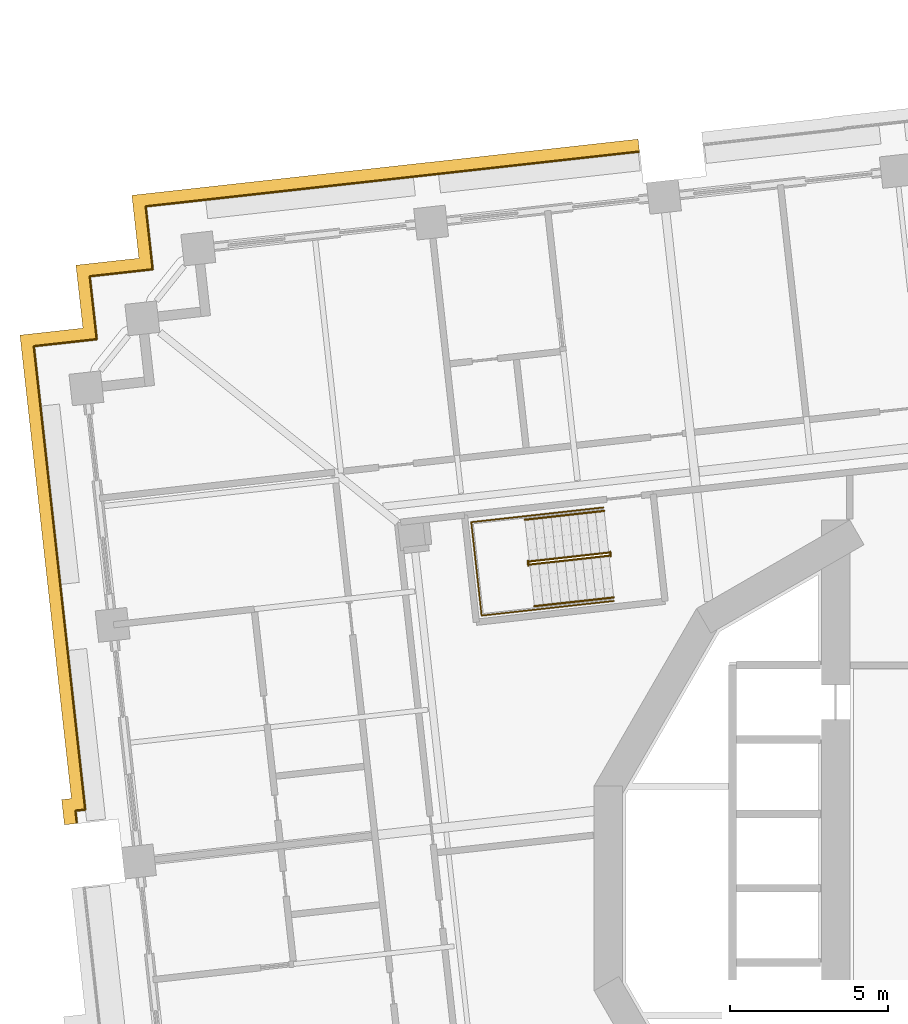
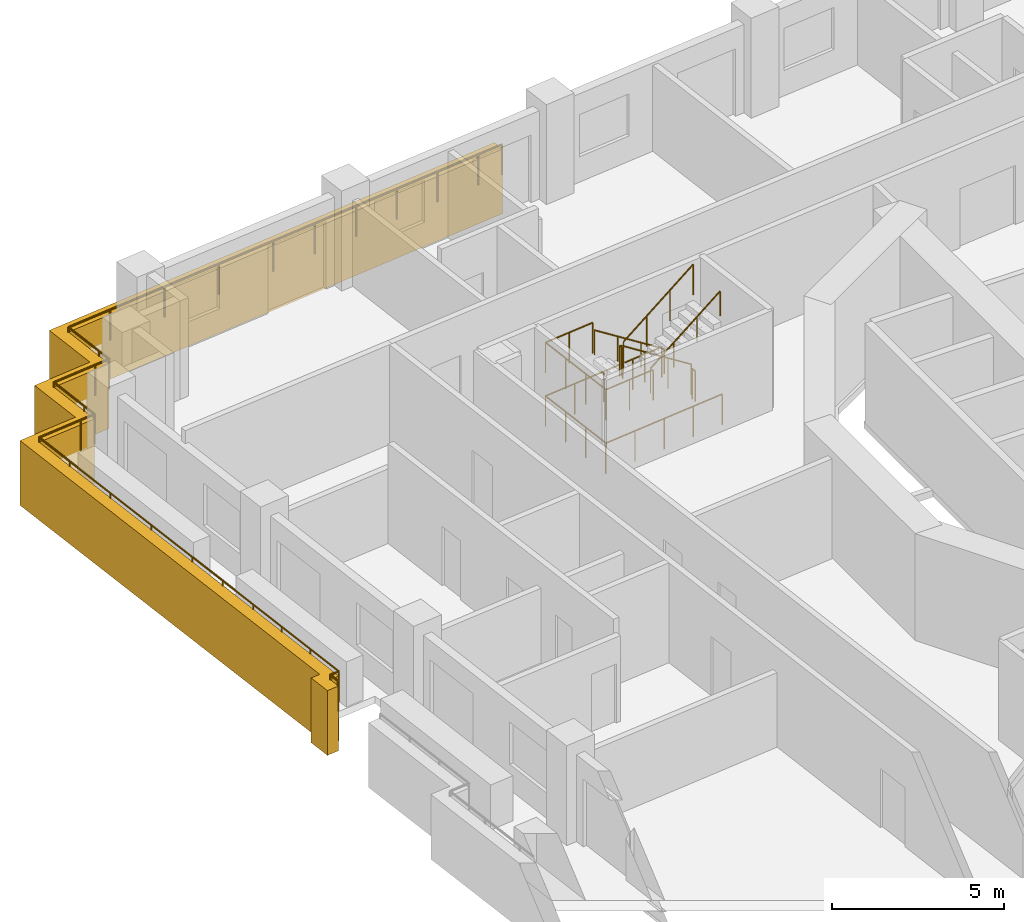
# One storey, part 15 of 18: 9 railings, 1 covering.
"""IFC4 building model written with IfcOpenShell, lengths in metres."""

from ifc_helpers import new_model, si_unit, direction, frame, origin, origin_2d, place, context, subcontext, project, spatial, polyline, circle, outline, extrude, material, type_object, element, save


model = new_model("IFC4")

# Units and contexts
model_context = context("Model", 3, precision=1e-05, world=origin(), true_north=direction((0.0, 1.0)))
body_context = subcontext(model_context, "Body", "Model", "MODEL_VIEW")
ifc_project = project(units=[si_unit("LENGTHUNIT", "METRE"), si_unit("AREAUNIT", "SQUARE_METRE"), si_unit("VOLUMEUNIT", "CUBIC_METRE"), si_unit("PLANEANGLEUNIT", "RADIAN"), si_unit("MASSUNIT", "GRAM", prefix="KILO")], contexts=[model_context])

# Site, building, storey
site_placement = place(None, origin())
site = spatial("IfcSite", under=ifc_project, at=site_placement, CompositionType="ELEMENT")
building_placement = place(site_placement, origin())
building = spatial("IfcBuilding", under=site, at=building_placement, Name="Cantera Rosa Tower", CompositionType="ELEMENT")
storey_placement = place(building_placement, frame((0.0, 0.0, 76.699951171875)))
storey = spatial("IfcBuildingStorey", under=building, at=storey_placement, Name="L16", CompositionType="ELEMENT", Elevation=76.699951171875)

# Railings
ifc_material_1 = material(Name="Stainless steel and laminated glass", Category="steel")
railing_type_1 = type_object("IfcRailingType", Name="GUARD 1100", PredefinedType="BALUSTRADE", material=ifc_material_1)
railing_1_placement = place(storey_placement, frame((-26.015380859375, 19.549560546875, 0.0)))
element("IfcRailing", 1, at=railing_1_placement, inside=storey, type_object=railing_type_1, Name="GUARD L16-3", PredefinedType="BALUSTRADE", context=body_context, shape_type="SweptSolid", body=[
    extrude(circle(Radius=0.030029296875, at=origin_2d()), frame((0.0, 0.0, 1.070068359375), z_axis=(-0.110377921269, 0.9938896893, 0.0), x_axis=(-0.9938896893, -0.110377921269, 0.0)), (0.0, 0.0, 1.0), 0.5),
    extrude(circle(Radius=0.030029296875, at=origin_2d()), frame((-0.05517578125, 0.496826171875, 1.070068359375), z_axis=(-0.110181444005, 0.99391148972, 0.0), x_axis=(-0.99391148972, -0.110181444005, 0.0)), (0.0, 0.0, 1.0), 1.5),
    extrude(circle(Radius=0.030029296875, at=origin_2d()), frame((-0.220458984375, 1.98779296875, 1.070068359375), z_axis=(0.993909513469, 0.110199269672, 0.0), x_axis=(-0.110199269672, 0.993909513469, 0.0)), (0.0, 0.0, 1.0), 1.499755859375),
    extrude(circle(Radius=0.030029296875, at=origin_2d()), frame((1.270263671875, 2.153076171875, 1.070068359375), z_axis=(0.993896343916, 0.1103179838, 0.0), x_axis=(-0.1103179838, 0.993896343916, 0.0)), (0.0, 0.0, 1.0), 5.900146484375),
    extrude(circle(Radius=0.030029296875, at=origin_2d()), frame((7.13427734375, 2.803955078125, 1.070068359375), z_axis=(0.993892663362, 0.110351138256, 0.0), x_axis=(-0.110351138256, 0.993892663362, 0.0)), (0.0, 0.0, 1.0), 3.0),
    extrude(circle(Radius=0.030029296875, at=origin_2d()), frame((10.115966796875, 3.135009765625, 1.070068359375), z_axis=(0.993897260817, 0.110309722784, 0.0), x_axis=(-0.110309722784, 0.993897260817, 0.0)), (0.0, 0.0, 1.0), 4.39990234375),
    extrude(circle(Radius=0.030029296875, at=origin_2d()), frame((14.489013671875, 3.620361328125, 1.070068359375), z_axis=(0.993900832769, 0.110277534522, 0.0), x_axis=(-0.110277534522, 0.993900832769, 0.0)), (0.0, 0.0, 1.0), 0.8701171875),
    extrude(circle(Radius=0.02490234375, at=origin_2d()), origin(), (0.0, 0.0, 1.0), 1.0400390625),
    extrude(circle(Radius=0.02490234375, at=origin_2d()), frame((-0.05517578125, 0.496826171875, 0.0)), (0.0, 0.0, 1.0), 1.0400390625),
    extrude(circle(Radius=0.02490234375, at=origin_2d()), frame((-0.220458984375, 1.98779296875, 0.0)), (0.0, 0.0, 1.0), 1.0400390625),
    extrude(circle(Radius=0.02490234375, at=origin_2d()), frame((1.270263671875, 2.153076171875, 0.0)), (0.0, 0.0, 1.0), 1.0400390625),
    extrude(circle(Radius=0.02490234375, at=origin_2d()), frame((3.224853515625, 2.3701171875, 0.0)), (0.0, 0.0, 1.0), 1.0400390625),
    extrude(circle(Radius=0.02490234375, at=origin_2d()), frame((5.1796875, 2.5869140625, 0.0)), (0.0, 0.0, 1.0), 1.0400390625),
    extrude(circle(Radius=0.02490234375, at=origin_2d()), frame((7.13427734375, 2.803955078125, 0.0)), (0.0, 0.0, 1.0), 1.0400390625),
    extrude(circle(Radius=0.02490234375, at=origin_2d()), frame((8.625, 2.969482421875, 0.0)), (0.0, 0.0, 1.0), 1.0400390625),
    extrude(circle(Radius=0.02490234375, at=origin_2d()), frame((10.115966796875, 3.135009765625, 0.0)), (0.0, 0.0, 1.0), 1.0400390625),
    extrude(circle(Radius=0.02490234375, at=origin_2d()), frame((11.57373046875, 3.296875, 0.0)), (0.0, 0.0, 1.0), 1.0400390625),
    extrude(circle(Radius=0.02490234375, at=origin_2d()), frame((13.03125, 3.45849609375, 0.0)), (0.0, 0.0, 1.0), 1.0400390625),
    extrude(circle(Radius=0.02490234375, at=origin_2d()), frame((14.489013671875, 3.620361328125, 0.0)), (0.0, 0.0, 1.0), 1.0400390625),
    extrude(circle(Radius=0.02490234375, at=origin_2d()), frame((15.353759765625, 3.71630859375, 0.0)), (0.0, 0.0, 1.0), 1.0400390625),
])
railing_2_placement = place(storey_placement, frame((-28.412841796875, 2.068359375, 0.0)))
element("IfcRailing", 2, at=railing_2_placement, inside=storey, type_object=railing_type_1, Name="GUARD L16-4", PredefinedType="BALUSTRADE", context=body_context, shape_type="SweptSolid", body=[
    extrude(circle(Radius=0.030029296875, at=origin_2d()), frame((0.0, 0.0, 1.070068359375), z_axis=(-0.110150366438, 0.993914934375, 0.0), x_axis=(-0.993914934375, -0.110150366438, 0.0)), (0.0, 0.0, 1.0), 0.38134765625),
    extrude(circle(Radius=0.030029296875, at=origin_2d()), frame((-0.0419921875, 0.37890625, 1.070068359375), z_axis=(0.993864587477, 0.110603714944, 0.0), x_axis=(-0.110603714944, 0.993864587477, 0.0)), (0.0, 0.0, 1.0), 0.311279296875),
    extrude(circle(Radius=0.030029296875, at=origin_2d()), frame((0.267333984375, 0.413330078125, 1.070068359375), z_axis=(-0.110336020431, 0.993894341767, 0.0), x_axis=(-0.993894341767, -0.110336020431, 0.0)), (0.0, 0.0, 1.0), 4.20849609375),
    extrude(circle(Radius=0.030029296875, at=origin_2d()), frame((-0.197021484375, 4.59619140625, 1.070068359375), z_axis=(-0.110270748271, 0.993901585709, 0.0), x_axis=(-0.993901585709, -0.110270748271, 0.0)), (0.0, 0.0, 1.0), 3.0),
    extrude(circle(Radius=0.030029296875, at=origin_2d()), frame((-0.52783203125, 7.577880859375, 1.070068359375), z_axis=(-0.110306895823, 0.993897574569, 0.0), x_axis=(-0.993897574569, -0.110306895823, 0.0)), (0.0, 0.0, 1.0), 6.02001953125),
    extrude(circle(Radius=0.030029296875, at=origin_2d()), frame((-1.19189453125, 13.561279296875, 1.070068359375), z_axis=(-0.110360064491, 0.993891672249, 0.0), x_axis=(-0.993891672249, -0.110360064491, 0.0)), (0.0, 0.0, 1.0), 1.5),
    extrude(circle(Radius=0.030029296875, at=origin_2d()), frame((-1.357421875, 15.052001953125, 1.070068359375), z_axis=(0.993891672249, 0.110360064491, 0.0), x_axis=(-0.110360064491, 0.993891672249, 0.0)), (0.0, 0.0, 1.0), 1.5),
    extrude(circle(Radius=0.030029296875, at=origin_2d()), frame((0.13330078125, 15.217529296875, 1.070068359375), z_axis=(0.993895635261, 0.110324368158, 0.0), x_axis=(-0.110324368158, 0.993895635261, 0.0)), (0.0, 0.0, 1.0), 0.500244140625),
    extrude(circle(Radius=0.030029296875, at=origin_2d()), frame((0.63037109375, 15.272705078125, 1.070068359375), z_axis=(-0.110324368158, 0.993895635261, 0.0), x_axis=(-0.993895635261, -0.110324368158, 0.0)), (0.0, 0.0, 1.0), 0.500244140625),
    extrude(circle(Radius=0.030029296875, at=origin_2d()), frame((0.5751953125, 15.769775390625, 1.070068359375), z_axis=(-0.110360064491, 0.993891672249, 0.0), x_axis=(-0.993891672249, -0.110360064491, 0.0)), (0.0, 0.0, 1.0), 1.5),
    extrude(circle(Radius=0.030029296875, at=origin_2d()), frame((0.40966796875, 17.260498046875, 1.070068359375), z_axis=(0.993893654236, 0.110342213455, 0.0), x_axis=(-0.110342213455, 0.993893654236, 0.0)), (0.0, 0.0, 1.0), 1.500244140625),
    extrude(circle(Radius=0.030029296875, at=origin_2d()), frame((1.900634765625, 17.426025390625, 1.070068359375), z_axis=(0.9938896893, 0.110377921269, 0.0), x_axis=(-0.110377921269, 0.9938896893, 0.0)), (0.0, 0.0, 1.0), 0.5),
    extrude(circle(Radius=0.02490234375, at=origin_2d()), origin(), (0.0, 0.0, 1.0), 1.0400390625),
    extrude(circle(Radius=0.02490234375, at=origin_2d()), frame((-0.0419921875, 0.37890625, 0.0)), (0.0, 0.0, 1.0), 1.0400390625),
    extrude(circle(Radius=0.02490234375, at=origin_2d()), frame((0.267333984375, 0.413330078125, 0.0)), (0.0, 0.0, 1.0), 1.0400390625),
    extrude(circle(Radius=0.02490234375, at=origin_2d()), frame((0.112548828125, 1.8076171875, 0.0)), (0.0, 0.0, 1.0), 1.0400390625),
    extrude(circle(Radius=0.02490234375, at=origin_2d()), frame((-0.042236328125, 3.201904296875, 0.0)), (0.0, 0.0, 1.0), 1.0400390625),
    extrude(circle(Radius=0.02490234375, at=origin_2d()), frame((-0.197021484375, 4.59619140625, 0.0)), (0.0, 0.0, 1.0), 1.0400390625),
    extrude(circle(Radius=0.02490234375, at=origin_2d()), frame((-0.3623046875, 6.0869140625, 0.0)), (0.0, 0.0, 1.0), 1.0400390625),
    extrude(circle(Radius=0.02490234375, at=origin_2d()), frame((-0.52783203125, 7.577880859375, 0.0)), (0.0, 0.0, 1.0), 1.0400390625),
    extrude(circle(Radius=0.02490234375, at=origin_2d()), frame((-0.749267578125, 9.572265625, 0.0)), (0.0, 0.0, 1.0), 1.0400390625),
    extrude(circle(Radius=0.02490234375, at=origin_2d()), frame((-0.970458984375, 11.56689453125, 0.0)), (0.0, 0.0, 1.0), 1.0400390625),
    extrude(circle(Radius=0.02490234375, at=origin_2d()), frame((-1.19189453125, 13.561279296875, 0.0)), (0.0, 0.0, 1.0), 1.0400390625),
    extrude(circle(Radius=0.02490234375, at=origin_2d()), frame((-1.357421875, 15.052001953125, 0.0)), (0.0, 0.0, 1.0), 1.0400390625),
    extrude(circle(Radius=0.02490234375, at=origin_2d()), frame((0.13330078125, 15.217529296875, 0.0)), (0.0, 0.0, 1.0), 1.0400390625),
    extrude(circle(Radius=0.02490234375, at=origin_2d()), frame((0.63037109375, 15.272705078125, 0.0)), (0.0, 0.0, 1.0), 1.0400390625),
    extrude(circle(Radius=0.02490234375, at=origin_2d()), frame((0.5751953125, 15.769775390625, 0.0)), (0.0, 0.0, 1.0), 1.0400390625),
    extrude(circle(Radius=0.02490234375, at=origin_2d()), frame((0.40966796875, 17.260498046875, 0.0)), (0.0, 0.0, 1.0), 1.0400390625),
    extrude(circle(Radius=0.02490234375, at=origin_2d()), frame((1.900634765625, 17.426025390625, 0.0)), (0.0, 0.0, 1.0), 1.0400390625),
    extrude(circle(Radius=0.02490234375, at=origin_2d()), frame((2.3974609375, 17.481201171875, 0.0)), (0.0, 0.0, 1.0), 1.0400390625),
])
ifc_material_2 = material(Name="Steel S355J2 (EN 10025-2)", Category="steel")
railing_type_2 = type_object("IfcRailingType", Name="STAIR GUARD 1100", PredefinedType="GUARDRAIL", material=ifc_material_2)
railing_3_placement = place(storey_placement, frame((-11.614013671875, 10.60302734375, 0.18994140625)))
element("IfcRailing", 3, at=railing_3_placement, inside=storey, type_object=railing_type_2, Name="L16 ST-12 stair guard 1", PredefinedType="GUARDRAIL", context=body_context, shape_type="SweptSolid", body=[
    extrude(circle(Radius=0.02392578125, at=origin_2d()), frame((0.0, 0.0, 1.076171875), z_axis=(-0.822400334406, -0.091226394439, 0.561547357688), x_axis=(0.110250758185, -0.993903803353, 0.0)), (0.0, 0.0, 1.0), 3.04541015625),
    extrude(circle(Radius=0.02392578125, at=origin_2d()), frame((-2.504638671875, -0.27783203125, 2.7861328125), z_axis=(-0.932897555956, 0.360141847183, 0.0), x_axis=(-0.360141847183, -0.932897555956, 0.0)), (0.0, 0.0, 1.0), 0.05615234375),
    extrude(circle(Radius=0.02392578125, at=origin_2d()), frame((-2.55712890625, -0.257568359375, 2.7861328125), z_axis=(0.110610055588, -0.993863881828, 0.0), x_axis=(0.993863881828, 0.110610055588, 0.0)), (0.0, 0.0, 1.0), 0.150146484375),
    extrude(circle(Radius=0.02099609375, at=origin_2d()), origin(), (0.0, 0.0, 1.0), 1.052001953125),
    extrude(circle(Radius=0.02099609375, at=origin_2d()), frame((-0.8349609375, -0.092529296875, 0.570068359375)), (0.0, 0.0, 1.0), 1.052001953125),
    extrude(circle(Radius=0.02099609375, at=origin_2d()), frame((-1.669677734375, -0.185302734375, 1.14013671875)), (0.0, 0.0, 1.0), 1.052001953125),
    extrude(circle(Radius=0.02099609375, at=origin_2d()), frame((-2.504638671875, -0.27783203125, 1.710205078125)), (0.0, 0.0, 1.0), 1.052001953125),
    extrude(circle(Radius=0.02099609375, at=origin_2d()), frame((-2.55712890625, -0.257568359375, 1.710205078125)), (0.0, 0.0, 1.0), 1.052001953125),
    extrude(circle(Radius=0.02099609375, at=origin_2d()), frame((-2.54052734375, -0.40673828125, 1.710205078125)), (0.0, 0.0, 1.0), 1.052001953125),
])
railing_4_placement = place(storey_placement, frame((-14.107666015625, 10.227783203125, 2.090087890625)))
element("IfcRailing", 4, at=railing_4_placement, inside=storey, type_object=railing_type_2, Name="L16 ST-12 stair guard 2", PredefinedType="GUARDRAIL", context=body_context, shape_type="SweptSolid", body=[
    extrude(circle(Radius=0.02392578125, at=origin_2d()), frame((0.0, 0.0, 1.076171875), z_axis=(0.822437355244, 0.09123050105, 0.561492468674), x_axis=(-0.110250758185, 0.993903803353, 0.0)), (0.0, 0.0, 1.0), 3.04541015625),
    extrude(circle(Radius=0.02099609375, at=origin_2d()), origin(), (0.0, 0.0, 1.0), 1.052001953125),
    extrude(circle(Radius=0.02099609375, at=origin_2d()), frame((0.8349609375, 0.092529296875, 0.570068359375)), (0.0, 0.0, 1.0), 1.052001953125),
    extrude(circle(Radius=0.02099609375, at=origin_2d()), frame((1.669677734375, 0.185302734375, 1.139892578125)), (0.0, 0.0, 1.0), 1.052001953125),
    extrude(circle(Radius=0.02099609375, at=origin_2d()), frame((2.504638671875, 0.27783203125, 1.7099609375)), (0.0, 0.0, 1.0), 1.052001953125),
])
railing_5_placement = place(storey_placement, frame((-11.567138671875, 10.634521484375, 0.0)))
element("IfcRailing", 5, at=railing_5_placement, inside=storey, type_object=railing_type_2, Name="L16 ST-12 stair guard 3", PredefinedType="GUARDRAIL", context=body_context, shape_type="SweptSolid", body=[
    extrude(circle(Radius=0.02392578125, at=origin_2d()), frame((0.0, 0.0, 1.076171875), z_axis=(0.110610055588, -0.993863881828, 0.0), x_axis=(0.993863881828, 0.110610055588, 0.0)), (0.0, 0.0, 1.0), 0.150146484375),
    extrude(circle(Radius=0.02099609375, at=origin_2d()), origin(), (0.0, 0.0, 1.0), 1.052001953125),
    extrude(circle(Radius=0.02099609375, at=origin_2d()), frame((0.0166015625, -0.149169921875, 0.0)), (0.0, 0.0, 1.0), 1.052001953125),
])
railing_6_placement = place(storey_placement, frame((-11.7841796875, 12.029052734375, 0.0)))
element("IfcRailing", 6, at=railing_6_placement, inside=storey, type_object=railing_type_2, Name="L16 ST-12 stair guard 4", PredefinedType="GUARDRAIL", context=body_context, shape_type="SweptSolid", body=[
    extrude(circle(Radius=0.02392578125, at=origin_2d()), frame((0.0, 0.0, 1.076171875), z_axis=(-0.9938957856, -0.110323013767, 0.0), x_axis=(0.110323013767, -0.9938957856, 0.0)), (0.0, 0.0, 1.0), 4.197998046875),
    extrude(circle(Radius=0.02392578125, at=origin_2d()), frame((-4.17236328125, -0.463134765625, 1.076171875), z_axis=(0.11023303584, -0.99390576908, 0.0), x_axis=(0.99390576908, 0.11023303584, 0.0)), (0.0, 0.0, 1.0), 2.969970703125),
    extrude(circle(Radius=0.02392578125, at=origin_2d()), frame((-3.844970703125, -3.4150390625, 1.076171875), z_axis=(0.993896493372, 0.11031663729, 0.0), x_axis=(-0.11031663729, 0.993896493372, 0.0)), (0.0, 0.0, 1.0), 4.1982421875),
    extrude(circle(Radius=0.02099609375, at=origin_2d()), origin(), (0.0, 0.0, 1.0), 1.052001953125),
    extrude(circle(Radius=0.02099609375, at=origin_2d()), frame((-1.04296875, -0.11572265625, 0.0)), (0.0, 0.0, 1.0), 1.052001953125),
    extrude(circle(Radius=0.02099609375, at=origin_2d()), frame((-2.086181640625, -0.2314453125, 0.0)), (0.0, 0.0, 1.0), 1.052001953125),
    extrude(circle(Radius=0.02099609375, at=origin_2d()), frame((-3.12939453125, -0.347412109375, 0.0)), (0.0, 0.0, 1.0), 1.052001953125),
    extrude(circle(Radius=0.02099609375, at=origin_2d()), frame((-4.17236328125, -0.463134765625, 0.0)), (0.0, 0.0, 1.0), 1.052001953125),
    extrude(circle(Radius=0.02099609375, at=origin_2d()), frame((-4.063232421875, -1.447021484375, 0.0)), (0.0, 0.0, 1.0), 1.052001953125),
    extrude(circle(Radius=0.02099609375, at=origin_2d()), frame((-3.9541015625, -2.43115234375, 0.0)), (0.0, 0.0, 1.0), 1.052001953125),
    extrude(circle(Radius=0.02099609375, at=origin_2d()), frame((-3.844970703125, -3.4150390625, 0.0)), (0.0, 0.0, 1.0), 1.052001953125),
    extrude(circle(Radius=0.02099609375, at=origin_2d()), frame((-2.8017578125, -3.29931640625, 0.0)), (0.0, 0.0, 1.0), 1.052001953125),
    extrude(circle(Radius=0.02099609375, at=origin_2d()), frame((-1.7587890625, -3.18359375, 0.0)), (0.0, 0.0, 1.0), 1.052001953125),
    extrude(circle(Radius=0.02099609375, at=origin_2d()), frame((-0.715576171875, -3.067626953125, 0.0)), (0.0, 0.0, 1.0), 1.052001953125),
    extrude(circle(Radius=0.02099609375, at=origin_2d()), frame((0.32763671875, -2.951904296875, 0.0)), (0.0, 0.0, 1.0), 1.052001953125),
])
railing_7_placement = place(storey_placement, frame((-14.26513671875, 11.753662109375, 1.900146484375)))
element("IfcRailing", 7, at=railing_7_placement, inside=storey, type_object=railing_type_2, Name="L16 ST-12 stair guard 5", PredefinedType="GUARDRAIL", context=body_context, shape_type="SweptSolid", body=[
    extrude(circle(Radius=0.02392578125, at=origin_2d()), frame((0.0, 0.0, 1.076171875), z_axis=(-0.99389597521, -0.110321305562, 0.0), x_axis=(0.110321305562, -0.99389597521, 0.0)), (0.0, 0.0, 1.0), 1.701904296875),
    extrude(circle(Radius=0.02392578125, at=origin_2d()), frame((-1.69140625, -0.187744140625, 1.076171875), z_axis=(0.11023303584, -0.99390576908, 0.0), x_axis=(0.99390576908, 0.11023303584, 0.0)), (0.0, 0.0, 1.0), 2.969970703125),
    extrude(circle(Radius=0.02392578125, at=origin_2d()), frame((-1.364013671875, -3.1396484375, 1.076171875), z_axis=(0.993897720867, 0.110305577623, 0.0), x_axis=(-0.110305577623, 0.993897720867, 0.0)), (0.0, 0.0, 1.0), 1.7021484375),
    extrude(circle(Radius=0.02099609375, at=origin_2d()), origin(), (0.0, 0.0, 1.0), 1.052001953125),
    extrude(circle(Radius=0.02099609375, at=origin_2d()), frame((-0.845703125, -0.09375, 0.0)), (0.0, 0.0, 1.0), 1.052001953125),
    extrude(circle(Radius=0.02099609375, at=origin_2d()), frame((-1.69140625, -0.187744140625, 0.0)), (0.0, 0.0, 1.0), 1.052001953125),
    extrude(circle(Radius=0.02099609375, at=origin_2d()), frame((-1.582275390625, -1.171630859375, 0.0)), (0.0, 0.0, 1.0), 1.052001953125),
    extrude(circle(Radius=0.02099609375, at=origin_2d()), frame((-1.47314453125, -2.15576171875, 0.0)), (0.0, 0.0, 1.0), 1.052001953125),
    extrude(circle(Radius=0.02099609375, at=origin_2d()), frame((-1.364013671875, -3.1396484375, 0.0)), (0.0, 0.0, 1.0), 1.052001953125),
    extrude(circle(Radius=0.02099609375, at=origin_2d()), frame((-0.51806640625, -3.0458984375, 0.0)), (0.0, 0.0, 1.0), 1.052001953125),
    extrude(circle(Radius=0.02099609375, at=origin_2d()), frame((0.32763671875, -2.951904296875, 0.0)), (0.0, 0.0, 1.0), 1.052001953125),
])
ifc_material_3 = material(Name="Steel S355J2 (EN 10025-2)", Category="steel")
railing_type_3 = type_object("IfcRailingType", Name="STAIR HANDRAIL 900", PredefinedType="HANDRAIL", material=ifc_material_3)
railing_8_placement = place(storey_placement, frame((-11.76025390625, 11.921142578125, 0.18994140625)))
element("IfcRailing", 8, at=railing_8_placement, inside=storey, type_object=railing_type_3, Name="L16 ST-12 stair handrail 1", PredefinedType="HANDRAIL", context=body_context, shape_type="SweptSolid", body=[
    extrude(circle(Radius=0.02392578125, at=origin_2d()), frame((0.0, 0.0, 0.8759765625), z_axis=(-0.822394317572, -0.091305890215, 0.561543249302), x_axis=(0.110346460196, -0.993893182753, 0.0)), (0.0, 0.0, 1.0), 3.045654296875),
    extrude(circle(Radius=0.02099609375, at=origin_2d()), origin(), (0.0, 0.0, 1.0), 0.851806640625),
    extrude(circle(Radius=0.02099609375, at=origin_2d()), frame((-0.8349609375, -0.0927734375, 0.570068359375)), (0.0, 0.0, 1.0), 0.851806640625),
    extrude(circle(Radius=0.02099609375, at=origin_2d()), frame((-1.669677734375, -0.185302734375, 1.14013671875)), (0.0, 0.0, 1.0), 0.851806640625),
    extrude(circle(Radius=0.02099609375, at=origin_2d()), frame((-2.504638671875, -0.278076171875, 1.710205078125)), (0.0, 0.0, 1.0), 0.851806640625),
])
railing_9_placement = place(storey_placement, frame((-13.96142578125, 8.909912109375, 2.090087890625)))
element("IfcRailing", 9, at=railing_9_placement, inside=storey, type_object=railing_type_3, Name="L16 ST-12 stair handrail 2", PredefinedType="HANDRAIL", context=body_context, shape_type="SweptSolid", body=[
    extrude(circle(Radius=0.02392578125, at=origin_2d()), frame((0.0, 0.0, 0.8759765625), z_axis=(0.822437355244, 0.09123050105, 0.561492468674), x_axis=(-0.110250758185, 0.993903803353, 0.0)), (0.0, 0.0, 1.0), 3.04541015625),
    extrude(circle(Radius=0.02099609375, at=origin_2d()), origin(), (0.0, 0.0, 1.0), 0.851806640625),
    extrude(circle(Radius=0.02099609375, at=origin_2d()), frame((0.8349609375, 0.092529296875, 0.570068359375)), (0.0, 0.0, 1.0), 0.851806640625),
    extrude(circle(Radius=0.02099609375, at=origin_2d()), frame((1.669677734375, 0.185302734375, 1.139892578125)), (0.0, 0.0, 1.0), 0.851806640625),
    extrude(circle(Radius=0.02099609375, at=origin_2d()), frame((2.504638671875, 0.27783203125, 1.7099609375)), (0.0, 0.0, 1.0), 0.851806640625),
])

# Covering
ifc_material_4 = material(Name="Cantera stone", Category="masonry")
covering_type = type_object("IfcCoveringType", Name="TRAY FASCIA 400", PredefinedType="CLADDING", material=ifc_material_4)
covering_placement = place(storey_placement, frame((0.0, 0.0, -1.39990234375)))
element("IfcCovering", 10, at=covering_placement, inside=storey, type_object=covering_type, Name="TRAY FASCIA L16-02", PredefinedType="CLADDING", context=body_context, shape_type="SweptSolid", body=[
    extrude(outline(polyline([(-29.33837890625, 9.602294921875), (-30.00244140625, 15.58544921875), (-30.2119140625, 17.473876953125), (-28.323486328125, 17.68359375), (-28.22412109375, 17.694580078125), (-28.235107421875, 17.7939453125), (-28.44482421875, 19.682373046875), (-26.556396484375, 19.891845703125), (-26.45703125, 19.90283203125), (-26.468017578125, 20.002197265625), (-26.677734375, 21.890625), (-24.789306640625, 22.100341796875), (-18.92529296875, 22.751220703125), (-15.943603515625, 23.08203125), (-11.5703125, 23.5673828125), (-10.685791015625, 23.665771484375), (-10.6416015625, 23.26806640625), (-11.5263671875, 23.169921875), (-15.8994140625, 22.6845703125), (-18.881103515625, 22.353515625), (-24.7451171875, 21.70263671875), (-26.23583984375, 21.537353515625), (-26.070556640625, 20.04638671875), (-26.015380859375, 19.549560546875), (-26.51220703125, 19.494384765625), (-28.003173828125, 19.328857421875), (-27.837646484375, 17.838134765625), (-27.782470703125, 17.341064453125), (-28.279541015625, 17.285888671875), (-29.770263671875, 17.120361328125), (-29.604736328125, 15.629638671875), (-28.940673828125, 9.646240234375), (-28.60986328125, 6.66455078125), (-28.1455078125, 2.481689453125), (-28.454833984375, 2.447265625), (-28.41064453125, 2.04833984375), (-28.80810546875, 2.00439453125), (-28.896484375, 2.80078125), (-28.587158203125, 2.8349609375), (-29.00732421875, 6.62060546875), (-29.33837890625, 9.602294921875)])), origin(), (0.0, 0.0, 1.0), 2.300048828125),
])

save(model, "model.ifc")
